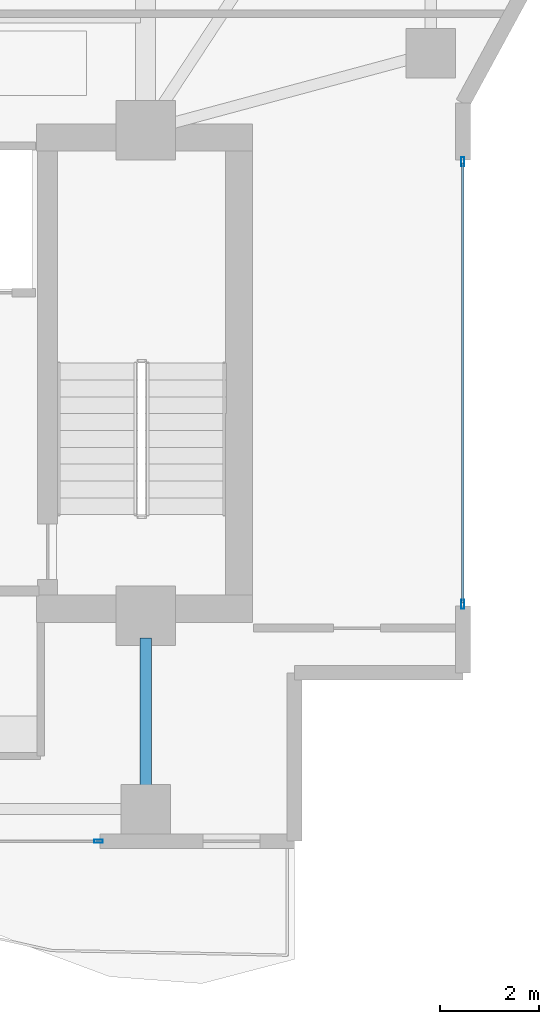
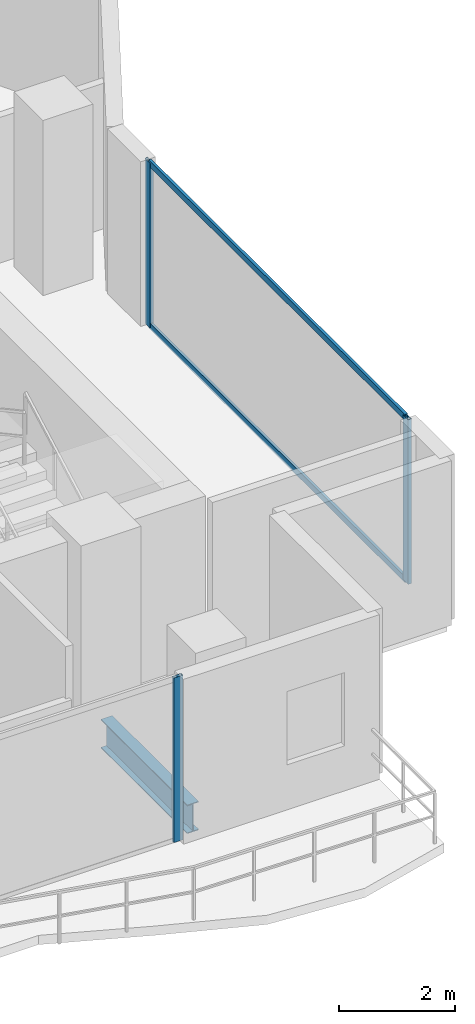
# One storey, part 10 of 23: 5 members, 1 beam, 2 elements without a shape of their own.
"""IFC4 building model written with IfcOpenShell, lengths in metres."""

from ifc_helpers import new_model, si_unit, direction, frame, origin, origin_2d, place, context, subcontext, project, spatial, hollow_rectangle, i_section, extrude, material, layer, layer_set, material_profile, profile_set, type_object, element, aggregate, save


model = new_model("IFC4")

# Units and contexts
model_context = context("Model", 3, precision=1e-05, world=origin(), true_north=direction((0.0, 1.0)))
body_context = subcontext(model_context, "Body", "Model", "MODEL_VIEW")
ifc_project = project(units=[si_unit("LENGTHUNIT", "METRE"), si_unit("AREAUNIT", "SQUARE_METRE"), si_unit("VOLUMEUNIT", "CUBIC_METRE"), si_unit("PLANEANGLEUNIT", "RADIAN"), si_unit("MASSUNIT", "GRAM", prefix="KILO")], contexts=[model_context])

# Site, building, storey
site_placement = place(None, origin())
site = spatial("IfcSite", under=ifc_project, at=site_placement, CompositionType="ELEMENT")
building_placement = place(site_placement, origin())
building = spatial("IfcBuilding", under=site, at=building_placement, Name="Zuhayl Quay Hotel", CompositionType="ELEMENT")
storey_placement = place(building_placement, frame((0.0, 0.0, 272.949951171875)))
storey = spatial("IfcBuildingStorey", under=building, at=storey_placement, Name="L69", CompositionType="ELEMENT", Elevation=272.949951171875)

# Beam
ifc_material_1 = material(Name="Steel ASTM A992 Grade 50", Category="steel")
ifc_material_profile_1 = material_profile(ifc_material_1, i_section(OverallWidth=0.22802734375, OverallDepth=0.60693359375, WebThickness=0.01123046875, FlangeThickness=0.017333984375, at=origin_2d()), Name="W24X76")
ifc_profile_set_1 = profile_set([ifc_material_profile_1], Name="Steel ASTM A992 Grade 50")
beam_type = type_object("IfcBeamType", Name="BM_B3_W24X76", PredefinedType="BEAM", material=ifc_profile_set_1)
beam_placement = place(storey_placement, frame((13.800048828125, 1.110107421875, -0.5234375), z_axis=(0.0, 1.0, 0.0), x_axis=(-1.0, 0.0, 0.0)))
element("IfcBeam", 1, at=beam_placement, inside=storey, type_object=beam_type, Name="L69 Floor Beam FG_S_L69_4", PredefinedType="BEAM", context=body_context, shape_type="SweptSolid", body=[
    extrude(i_section(OverallWidth=0.22802734375, OverallDepth=0.60693359375, WebThickness=0.01123046875, FlangeThickness=0.017333984375, at=origin_2d()), origin(), (0.0, 0.0, 1.0), 2.989990234375),
])

# Curtain wall, members
ifc_material_2 = material(Name="Anodised Aluminium 6063-T6", Category="aluminium")
ifc_layer = layer(ifc_material_2, 0.169921875, Name="Anodised Aluminium 6063-T6", Category="aluminium")
ifc_layer_set = layer_set([ifc_layer], Name="Anodised Aluminium 6063-T6")
curtain_wall_type = type_object("IfcCurtainWallType", Name="CW_SYS_Z4", PredefinedType="USERDEFINED", material=ifc_layer_set)
curtain_wall_1_placement = place(storey_placement, origin())
curtain_wall_1 = element("IfcCurtainWall", 2, at=curtain_wall_1_placement, inside=storey, type_object=curtain_wall_type, Name="L69 Curtain Wall ENV_L69_E14_CW1", ObjectType="UNITISED CURTAIN WALL", PredefinedType="USERDEFINED")
ifc_material_3 = material(Name="Black-anodised aluminium 6063-T6", Category="aluminium")
ifc_material_profile_2 = material_profile(ifc_material_3, hollow_rectangle(XDim=0.06494140625, YDim=0.179931640625, WallThickness=0.00341796875, at=origin_2d()), Name="ALU180X65")
ifc_profile_set_2 = profile_set([ifc_material_profile_2], Name="Black-anodised aluminium 6063-T6")
member_type_1 = type_object("IfcMemberType", Name="MB_CW_MUL_180", PredefinedType="MULLION", material=ifc_profile_set_2)
member_1_placement = place(storey_placement, frame((20.199951171875, 13.717529296875, 0.0), z_axis=(0.0, 0.0, 1.0), x_axis=(1.0, 0.0, 0.0)))
member_1 = element("IfcMember", 3, at=member_1_placement, type_object=member_type_1, Name="CW-Z4 mullion 1", PredefinedType="MULLION", context=body_context, shape_type="SweptSolid", body=[
    extrude(hollow_rectangle(XDim=0.06494140625, YDim=0.179931640625, WallThickness=0.00341796875, at=origin_2d()), origin(), (0.0, 0.0, 1.0), 3.47998046875),
])
member_2_placement = place(storey_placement, frame((20.199951171875, 4.782470703125, 0.0), z_axis=(0.0, 0.0, 1.0), x_axis=(1.0, 0.0, 0.0)))
member_2 = element("IfcMember", 4, at=member_2_placement, type_object=member_type_1, Name="CW-Z4 mullion 2", PredefinedType="MULLION", context=body_context, shape_type="SweptSolid", body=[
    extrude(hollow_rectangle(XDim=0.06494140625, YDim=0.179931640625, WallThickness=0.00341796875, at=origin_2d()), origin(), (0.0, 0.0, 1.0), 3.47998046875),
])

# Curtain wall, member
curtain_wall_2_placement = place(storey_placement, origin())
curtain_wall_2 = element("IfcCurtainWall", 5, at=curtain_wall_2_placement, inside=storey, type_object=curtain_wall_type, Name="L69 Curtain Wall ENV_L69_S_CW1", ObjectType="UNITISED CURTAIN WALL", PredefinedType="USERDEFINED")
member_3_placement = place(storey_placement, frame((12.847412109375, 0.0, 0.0), z_axis=(0.0, 0.0, 1.0), x_axis=(0.0, -1.0, 0.0)))
member_3 = element("IfcMember", 6, at=member_3_placement, type_object=member_type_1, Name="CW-Z4 mullion 1", PredefinedType="MULLION", context=body_context, shape_type="SweptSolid", body=[
    extrude(hollow_rectangle(XDim=0.06494140625, YDim=0.179931640625, WallThickness=0.00341796875, at=origin_2d()), origin(), (0.0, 0.0, 1.0), 3.47998046875),
])
aggregate(curtain_wall_2, [member_3])

# Member
ifc_material_profile_3 = material_profile(ifc_material_3, hollow_rectangle(XDim=0.054931640625, YDim=0.1298828125, WallThickness=0.0029296875, at=origin_2d()), Name="ALU130X55")
ifc_profile_set_3 = profile_set([ifc_material_profile_3], Name="Black-anodised aluminium 6063-T6")
member_type_2 = type_object("IfcMemberType", Name="MB_CW_TRN_130", PredefinedType="USERDEFINED", material=ifc_profile_set_3)
member_4_placement = place(storey_placement, frame((20.199951171875, 13.68505859375, 0.027587890625), z_axis=(0.0, -1.0, 0.0), x_axis=(1.0, 0.0, 0.0)))
member_4 = element("IfcMember", 7, at=member_4_placement, type_object=member_type_2, Name="CW-Z4 transom 1.1", ObjectType="TRANSOM", PredefinedType="USERDEFINED", context=body_context, shape_type="SweptSolid", body=[
    extrude(hollow_rectangle(XDim=0.054931640625, YDim=0.1298828125, WallThickness=0.0029296875, at=origin_2d()), origin(), (0.0, 0.0, 1.0), 8.8701171875),
])

member_5_placement = place(storey_placement, frame((20.199951171875, 13.68505859375, 3.45263671875), z_axis=(0.0, -1.0, 0.0), x_axis=(1.0, 0.0, 0.0)))
member_5 = element("IfcMember", 8, at=member_5_placement, type_object=member_type_2, Name="CW-Z4 transom 1.2", ObjectType="TRANSOM", PredefinedType="USERDEFINED", context=body_context, shape_type="SweptSolid", body=[
    extrude(hollow_rectangle(XDim=0.054931640625, YDim=0.1298828125, WallThickness=0.0029296875, at=origin_2d()), origin(), (0.0, 0.0, 1.0), 8.8701171875),
])

aggregate(curtain_wall_1, [member_1, member_2, member_4, member_5])

save(model, "model.ifc")
